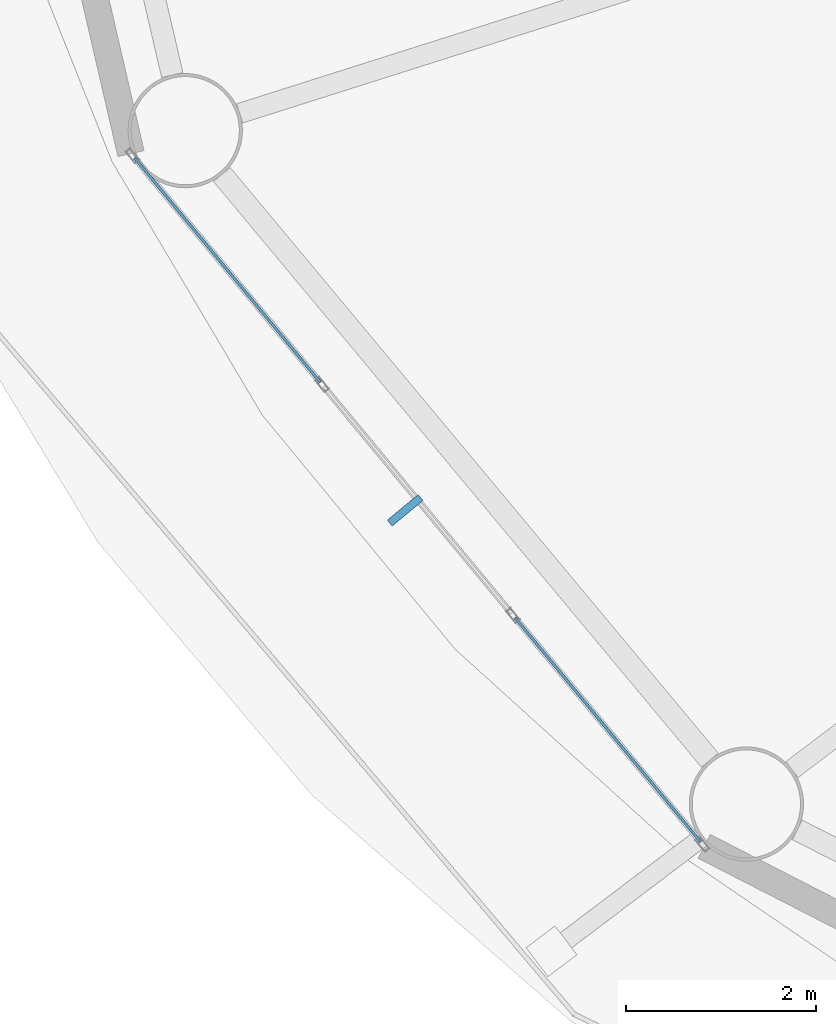
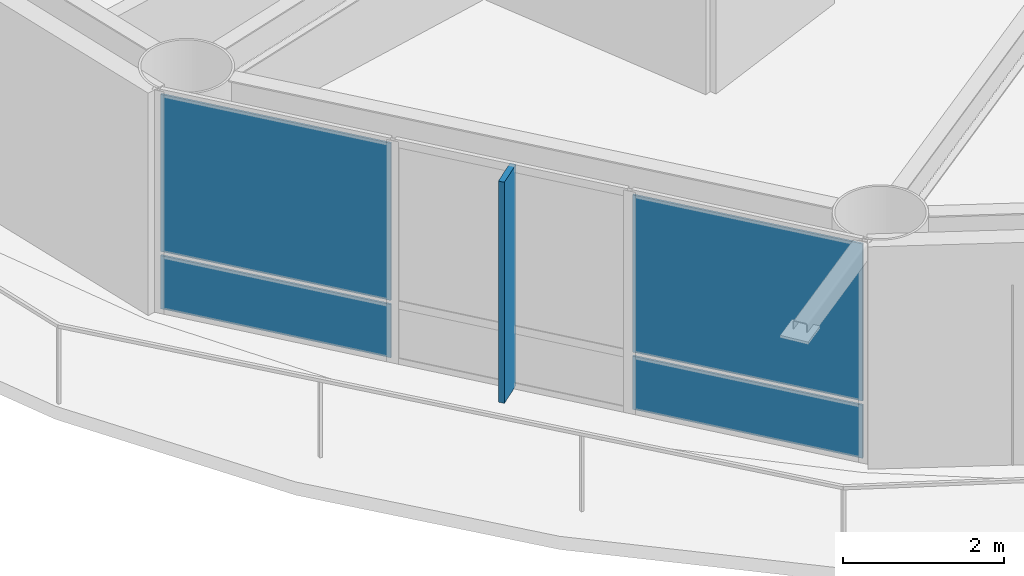
# One storey, part 14 of 24: 5 plates, 1 element without a shape of its own.
"""IFC4 building model written with IfcOpenShell, lengths in metres."""

from ifc_helpers import new_model, si_unit, direction, frame, origin, origin_2d, place, context, subcontext, project, spatial, rectangle, extrude, material, layer, layer_set, type_object, element, aggregate, save


model = new_model("IFC4")

# Units and contexts
model_context = context("Model", 3, precision=1e-05, world=origin(), true_north=direction((0.0, 1.0)))
body_context = subcontext(model_context, "Body", "Model", "MODEL_VIEW")
ifc_project = project(units=[si_unit("LENGTHUNIT", "METRE"), si_unit("AREAUNIT", "SQUARE_METRE"), si_unit("VOLUMEUNIT", "CUBIC_METRE"), si_unit("PLANEANGLEUNIT", "RADIAN"), si_unit("MASSUNIT", "GRAM", prefix="KILO")], contexts=[model_context])

# Site, building, storey
site_placement = place(None, origin())
site = spatial("IfcSite", under=ifc_project, at=site_placement, CompositionType="ELEMENT")
building_placement = place(site_placement, origin())
building = spatial("IfcBuilding", under=site, at=building_placement, Name="Sarneth Arch Tower", CompositionType="ELEMENT")
storey_placement = place(building_placement, frame((0.0, 0.0, 105.60009765625)))
storey = spatial("IfcBuildingStorey", under=building, at=storey_placement, Name="L26", CompositionType="ELEMENT", Elevation=105.60009765625)

# Curtain wall, plates
ifc_material_1 = material(Name="Anodised aluminium Type AA25 and solar-control low-e laminated IGU", Category="aluminium")
ifc_layer_1 = layer(ifc_material_1, 0.159912109375)
ifc_layer_set_1 = layer_set([ifc_layer_1], Name="Anodised aluminium Type AA25 and solar-control low-e laminated IGU")
curtain_wall_type = type_object("IfcCurtainWallType", Name="CW-HOTEL-MID", PredefinedType="NOTDEFINED", material=ifc_layer_set_1)
curtain_wall_placement = place(storey_placement, origin())
curtain_wall = element("IfcCurtainWall", 1, at=curtain_wall_placement, inside=storey, type_object=curtain_wall_type, Name="L26 Unitised curtain wall facet 10", PredefinedType="NOTDEFINED")
ifc_material_2 = material(Name="Solar-control low-e laminated IGU", Category="glass")
ifc_layer_2 = layer(ifc_material_2, 0.028076171875)
ifc_layer_set_2 = layer_set([ifc_layer_2], Name="Solar-control low-e laminated IGU")
plate_type_1 = type_object("IfcPlateType", Name="CW-PANEL", PredefinedType="CURTAIN_PANEL", material=ifc_layer_set_2)
plate_1_placement = place(storey_placement, frame((22.15185546875, 32.192138671875, 0.059814453125), z_axis=(0.0, 0.0, 1.0), x_axis=(0.637515188684, -0.770437787363, 0.0)))
plate_1 = element("IfcPlate", 2, at=plate_1_placement, type_object=plate_type_1, Name="Curtain wall glazed vision pane CW-L26-F10/P00-00", PredefinedType="CURTAIN_PANEL", context=body_context, shape_type="SweptSolid", body=[
    extrude(rectangle(XDim=3.058349609375, YDim=0.028076171875, at=origin_2d()), origin(), (0.0, 0.0, 1.0), 0.81005859375),
])
plate_2_placement = place(storey_placement, frame((22.15185546875, 32.192138671875, 0.93017578125), z_axis=(0.0, 0.0, 1.0), x_axis=(0.637515188684, -0.770437787363, 0.0)))
plate_2 = element("IfcPlate", 3, at=plate_2_placement, type_object=plate_type_1, Name="Curtain wall glazed vision pane CW-L26-F10/P00-01", PredefinedType="CURTAIN_PANEL", context=body_context, shape_type="SweptSolid", body=[
    extrude(rectangle(XDim=3.058349609375, YDim=0.028076171875, at=origin_2d()), origin(), (0.0, 0.0, 1.0), 2.389892578125),
])
plate_3_placement = place(storey_placement, frame((26.14697265625, 27.364013671875, 0.059814453125), z_axis=(0.0, 0.0, 1.0), x_axis=(0.637515188684, -0.770437787363, 0.0)))
plate_3 = element("IfcPlate", 4, at=plate_3_placement, type_object=plate_type_1, Name="Curtain wall glazed vision pane CW-L26-F10/P02-00", PredefinedType="CURTAIN_PANEL", context=body_context, shape_type="SweptSolid", body=[
    extrude(rectangle(XDim=3.058349609375, YDim=0.028076171875, at=origin_2d()), origin(), (0.0, 0.0, 1.0), 0.81005859375),
])
plate_4_placement = place(storey_placement, frame((26.14697265625, 27.364013671875, 0.93017578125), z_axis=(0.0, 0.0, 1.0), x_axis=(0.637515188684, -0.770437787363, 0.0)))
plate_4 = element("IfcPlate", 5, at=plate_4_placement, type_object=plate_type_1, Name="Curtain wall glazed vision pane CW-L26-F10/P02-01", PredefinedType="CURTAIN_PANEL", context=body_context, shape_type="SweptSolid", body=[
    extrude(rectangle(XDim=3.058349609375, YDim=0.028076171875, at=origin_2d()), origin(), (0.0, 0.0, 1.0), 2.389892578125),
])
aggregate(curtain_wall, [plate_1, plate_2, plate_3, plate_4])

# Plate
ifc_material_3 = material(Name="Extruded glazed terracotta baguette fin on Aluminium 6063-T6 carrier", Category="masonry")
ifc_layer_3 = layer(ifc_material_3, 0.080078125)
ifc_layer_set_3 = layer_set([ifc_layer_3], Name="Extruded glazed terracotta baguette fin on Aluminium 6063-T6 carrier")
plate_type_2 = type_object("IfcPlateType", Name="SHADE-TERRA-FIN", PredefinedType="SHEET", material=ifc_layer_set_3)
plate_5_placement = place(storey_placement, frame((24.018310546875, 29.669677734375, 0.009765625), z_axis=(0.0, 0.0, 1.0), x_axis=(-0.770401979567, -0.63755845997, 0.0)))
element("IfcPlate", 6, at=plate_5_placement, inside=storey, type_object=plate_type_2, Name="L26 Terracotta vertical shading fin 10", PredefinedType="SHEET", context=body_context, shape_type="SweptSolid", body=[
    extrude(rectangle(XDim=0.419921875, YDim=0.080078125, at=origin_2d()), origin(), (0.0, 0.0, 1.0), 3.360107421875),
])

save(model, "model.ifc")
